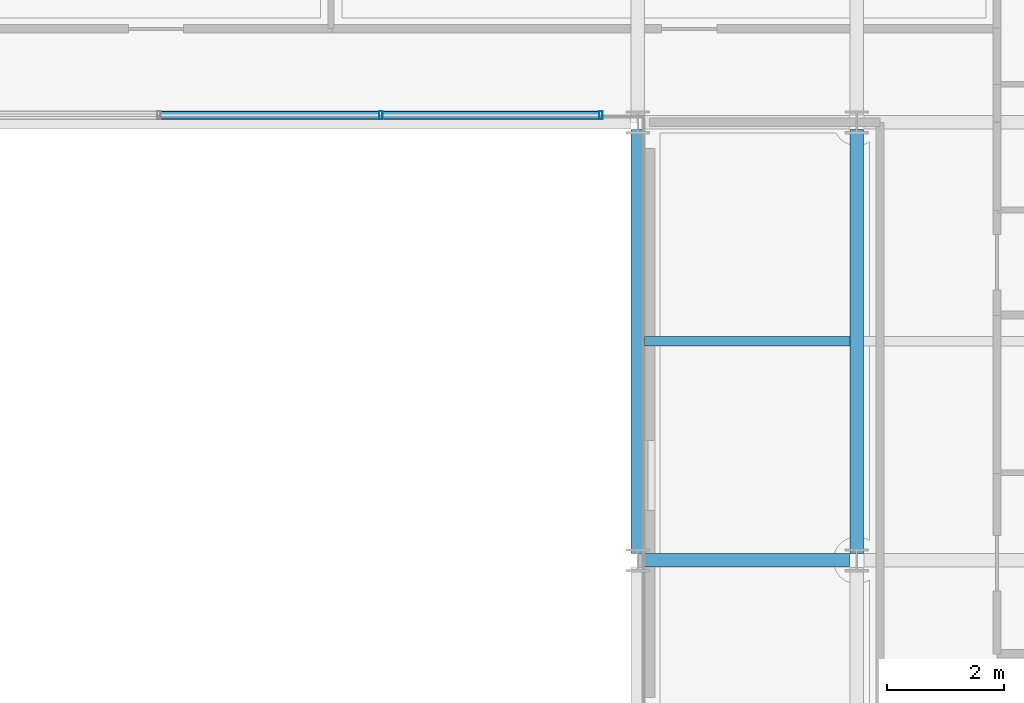
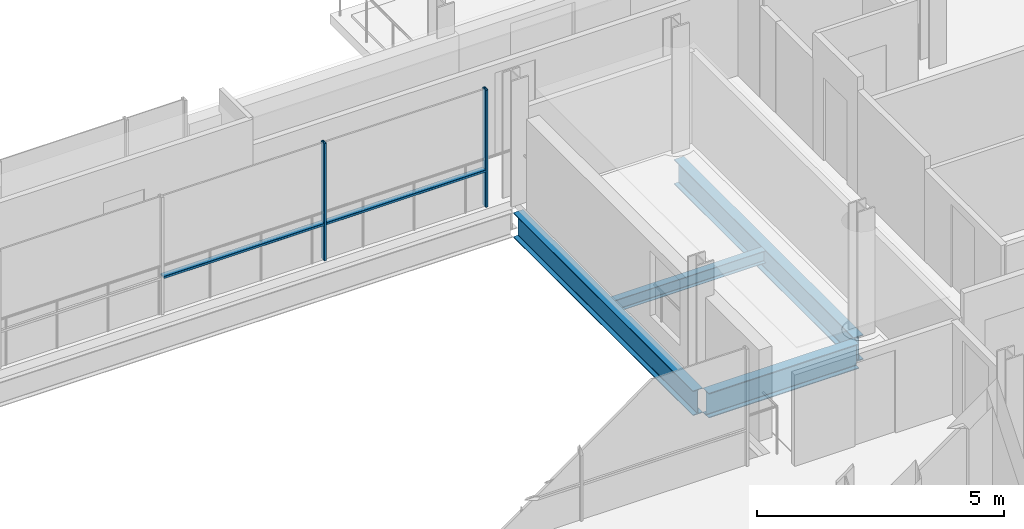
# One storey, part 18 of 38: 4 beams, 4 members, 1 element without a shape of its own.
"""IFC4 building model written with IfcOpenShell, lengths in metres."""

from ifc_helpers import new_model, si_unit, direction, frame, origin, origin_2d, place, context, subcontext, project, spatial, hollow_rectangle, i_section, extrude, material, layer, layer_set, material_profile, profile_set, type_object, element, aggregate, save


model = new_model("IFC4")

# Units and contexts
model_context = context("Model", 3, precision=1e-05, world=origin(), true_north=direction((0.0, 1.0)))
body_context = subcontext(model_context, "Body", "Model", "MODEL_VIEW")
ifc_project = project(units=[si_unit("LENGTHUNIT", "METRE"), si_unit("AREAUNIT", "SQUARE_METRE"), si_unit("VOLUMEUNIT", "CUBIC_METRE"), si_unit("PLANEANGLEUNIT", "RADIAN"), si_unit("MASSUNIT", "GRAM", prefix="KILO")], contexts=[model_context])

# Site, building, storey
site_placement = place(None, origin())
site = spatial("IfcSite", under=ifc_project, at=site_placement, CompositionType="ELEMENT")
building_placement = place(site_placement, origin())
building = spatial("IfcBuilding", under=site, at=building_placement, Name="Brevholm Reach", CompositionType="ELEMENT")
storey_placement = place(building_placement, frame((0.0, 0.0, 172.800048828125)))
storey = spatial("IfcBuildingStorey", under=building, at=storey_placement, Name="L52", CompositionType="ELEMENT", Elevation=172.800048828125)

# Beams
ifc_material_1 = material(Name="Structural Steel S355J2", Category="steel")
ifc_material_profile_1 = material_profile(ifc_material_1, i_section(OverallWidth=0.1650390625, OverallDepth=0.303466796875, WebThickness=0.006103515625, FlangeThickness=0.01025390625, FilletRadius=0.0087890625, at=origin_2d()), Name="UKB 305x165x40")
ifc_profile_set_1 = profile_set([ifc_material_profile_1], Name="Structural Steel S355J2")
beam_type_1 = type_object("IfcBeamType", Name="BM-B305", PredefinedType="BEAM", material=ifc_profile_set_1)
beam_1_placement = place(storey_placement, frame((38.364501953125, 19.75, -0.36181640625), z_axis=(1.0, 0.0, 0.0), x_axis=(0.0, 1.0, 0.0)))
element("IfcBeam", 1, at=beam_1_placement, inside=storey, type_object=beam_type_1, Name="L52 Composite Secondary Floor Beam", PredefinedType="BEAM", context=body_context, shape_type="SweptSolid", body=[
    extrude(i_section(OverallWidth=0.1650390625, OverallDepth=0.303466796875, WebThickness=0.006103515625, FlangeThickness=0.01025390625, FilletRadius=0.0087890625, at=origin_2d()), origin(), (0.0, 0.0, 1.0), 3.52099609375),
])
ifc_material_2 = material(Name="Structural Steel S355J2", Category="steel")
ifc_material_profile_2 = material_profile(ifc_material_2, i_section(OverallWidth=0.22900390625, OverallDepth=0.6123046875, WebThickness=0.011962890625, FlangeThickness=0.01953125, FilletRadius=0.0126953125, at=origin_2d()), Name="UKB 610x229x125")
ifc_profile_set_2 = profile_set([ifc_material_profile_2], Name="Structural Steel S355J2")
beam_type_2 = type_object("IfcBeamType", Name="BM-SP610", PredefinedType="SPANDREL", material=ifc_profile_set_2)
beam_2_placement = place(storey_placement, frame((38.3701171875, 16.0, -0.51611328125), z_axis=(1.0, 0.0, 0.0), x_axis=(0.0, 1.0, 0.0)))
element("IfcBeam", 2, at=beam_2_placement, inside=storey, type_object=beam_type_2, Name="L52 SP-01 Framing Beam", PredefinedType="SPANDREL", context=body_context, shape_type="SweptSolid", body=[
    extrude(i_section(OverallWidth=0.22900390625, OverallDepth=0.6123046875, WebThickness=0.011962890625, FlangeThickness=0.01953125, FilletRadius=0.0126953125, at=origin_2d()), origin(), (0.0, 0.0, 1.0), 3.509765625),
])
for number, where, z_axis, x_axis, name in (
    (3, (38.25, 16.1201171875, -0.51611328125), (0.0, 1.0, 0.0), (-1.0, 0.0, 0.0), "L52 SP-01 Framing Beam"),
    (4, (42.0, 16.1201171875, -0.51611328125), (0.0, 1.0, 0.0), (-1.0, 0.0, 0.0), "L52 SP-01 Framing Beam"),
):
    element("IfcBeam", number, at=place(storey_placement, frame(where, z_axis=z_axis, x_axis=x_axis)), inside=storey, type_object=beam_type_2, Name=name, PredefinedType="SPANDREL", context=body_context, shape_type="SweptSolid", body=[
        extrude(i_section(OverallWidth=0.22900390625, OverallDepth=0.6123046875, WebThickness=0.011962890625, FlangeThickness=0.01953125, FilletRadius=0.0126953125, at=origin_2d()), origin(), (0.0, 0.0, 1.0), 7.259765625),
    ])

# Curtain wall, members
ifc_material_3 = material(Name="Dark Anodised Aluminium 6063-T6 and Solar-Control Glass", Category="aluminium")
ifc_layer = layer(ifc_material_3, 0.139892578125)
ifc_layer_set = layer_set([ifc_layer], Name="Dark Anodised Aluminium 6063-T6 and Solar-Control Glass")
curtain_wall_type = type_object("IfcCurtainWallType", Name="CW-02", PredefinedType="NOTDEFINED", material=ifc_layer_set)
curtain_wall_placement = place(storey_placement, origin())
curtain_wall = element("IfcCurtainWall", 5, at=curtain_wall_placement, inside=storey, type_object=curtain_wall_type, Name="L52 Curtain Wall CW-02", PredefinedType="NOTDEFINED")
ifc_material_4 = material(Name="Dark Anodised Aluminium 6063-T6", Category="aluminium")
ifc_material_profile_3 = material_profile(ifc_material_4, hollow_rectangle(XDim=0.06005859375, YDim=0.139892578125, WallThickness=0.0048828125, InnerFilletRadius=0.0048828125, OuterFilletRadius=0.010009765625, at=origin_2d()), Name="RHS 140x60x5")
ifc_profile_set_3 = profile_set([ifc_material_profile_3], Name="Dark Anodised Aluminium 6063-T6")
member_type_1 = type_object("IfcMemberType", Name="CWM-140", PredefinedType="MULLION", material=ifc_profile_set_3)
member_1_placement = place(storey_placement, frame((37.6201171875, 23.6201171875, 0.0), z_axis=(0.0, 0.0, 1.0), x_axis=(-1.0, 0.0, 0.0)))
member_1 = element("IfcMember", 6, at=member_1_placement, type_object=member_type_1, Name="CM-140 Mullion 1", PredefinedType="MULLION", context=body_context, shape_type="SweptSolid", body=[
    extrude(hollow_rectangle(XDim=0.06005859375, YDim=0.139892578125, WallThickness=0.0048828125, InnerFilletRadius=0.0048828125, OuterFilletRadius=0.010009765625, at=origin_2d()), origin(), (0.0, 0.0, 1.0), 2.889892578125),
])
member_2_placement = place(storey_placement, frame((33.85009765625, 23.6201171875, 0.0), z_axis=(0.0, 0.0, 1.0), x_axis=(-1.0, 0.0, 0.0)))
member_2 = element("IfcMember", 7, at=member_2_placement, type_object=member_type_1, Name="CM-140 Mullion 2", PredefinedType="MULLION", context=body_context, shape_type="SweptSolid", body=[
    extrude(hollow_rectangle(XDim=0.06005859375, YDim=0.139892578125, WallThickness=0.0048828125, InnerFilletRadius=0.0048828125, OuterFilletRadius=0.010009765625, at=origin_2d()), origin(), (0.0, 0.0, 1.0), 2.889892578125),
])
ifc_material_5 = material(Name="Dark Anodised Aluminium 6063-T6", Category="aluminium")
ifc_material_profile_4 = material_profile(ifc_material_5, hollow_rectangle(XDim=0.06005859375, YDim=0.139892578125, WallThickness=0.0048828125, InnerFilletRadius=0.0048828125, OuterFilletRadius=0.010009765625, at=origin_2d()), Name="RHS 140x60x5")
ifc_profile_set_4 = profile_set([ifc_material_profile_4], Name="Dark Anodised Aluminium 6063-T6")
member_type_2 = type_object("IfcMemberType", Name="CWT-140", PredefinedType="NOTDEFINED", material=ifc_profile_set_4)
member_3_placement = place(storey_placement, frame((37.590087890625, 23.6201171875, 0.89990234375), z_axis=(-1.0, 0.0, 0.0), x_axis=(0.0, 0.0, 1.0)))
member_3 = element("IfcMember", 8, at=member_3_placement, type_object=member_type_2, Name="CT-140 Transom 1.1", ObjectType="TRANSOM", PredefinedType="USERDEFINED", context=body_context, shape_type="SweptSolid", body=[
    extrude(hollow_rectangle(XDim=0.06005859375, YDim=0.139892578125, WallThickness=0.0048828125, InnerFilletRadius=0.0048828125, OuterFilletRadius=0.010009765625, at=origin_2d()), origin(), (0.0, 0.0, 1.0), 3.710205078125),
])
member_4_placement = place(storey_placement, frame((33.820068359375, 23.6201171875, 0.89990234375), z_axis=(-1.0, 0.0, 0.0), x_axis=(0.0, 0.0, 1.0)))
member_4 = element("IfcMember", 9, at=member_4_placement, type_object=member_type_2, Name="CT-140 Transom 2.1", ObjectType="TRANSOM", PredefinedType="USERDEFINED", context=body_context, shape_type="SweptSolid", body=[
    extrude(hollow_rectangle(XDim=0.06005859375, YDim=0.139892578125, WallThickness=0.0048828125, InnerFilletRadius=0.0048828125, OuterFilletRadius=0.010009765625, at=origin_2d()), origin(), (0.0, 0.0, 1.0), 3.739990234375),
])
aggregate(curtain_wall, [member_1, member_2, member_3, member_4])

save(model, "model.ifc")
